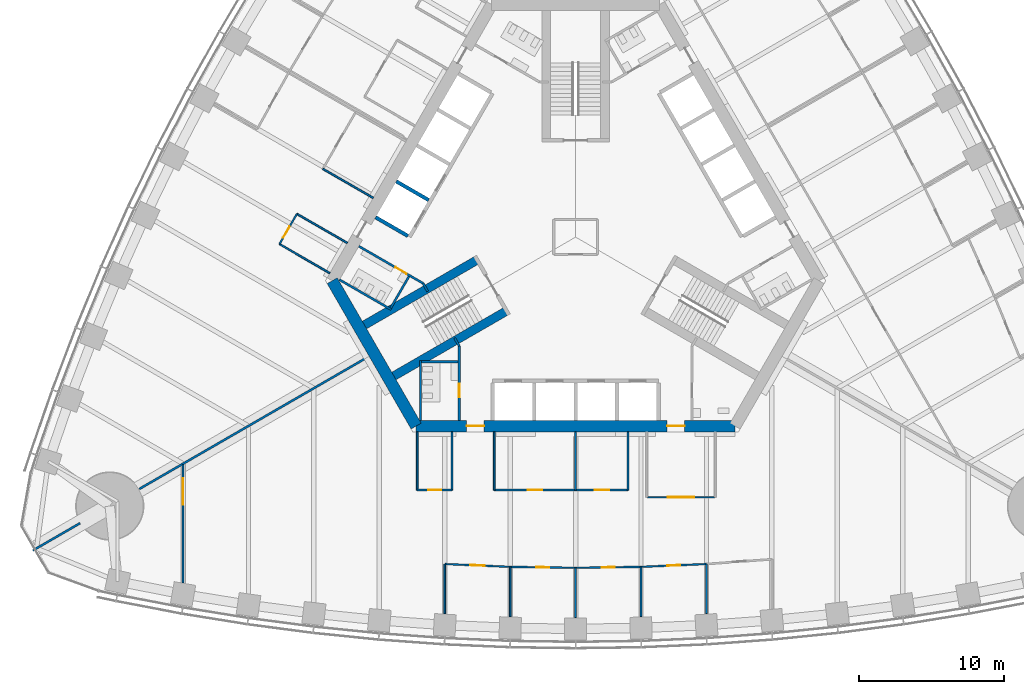
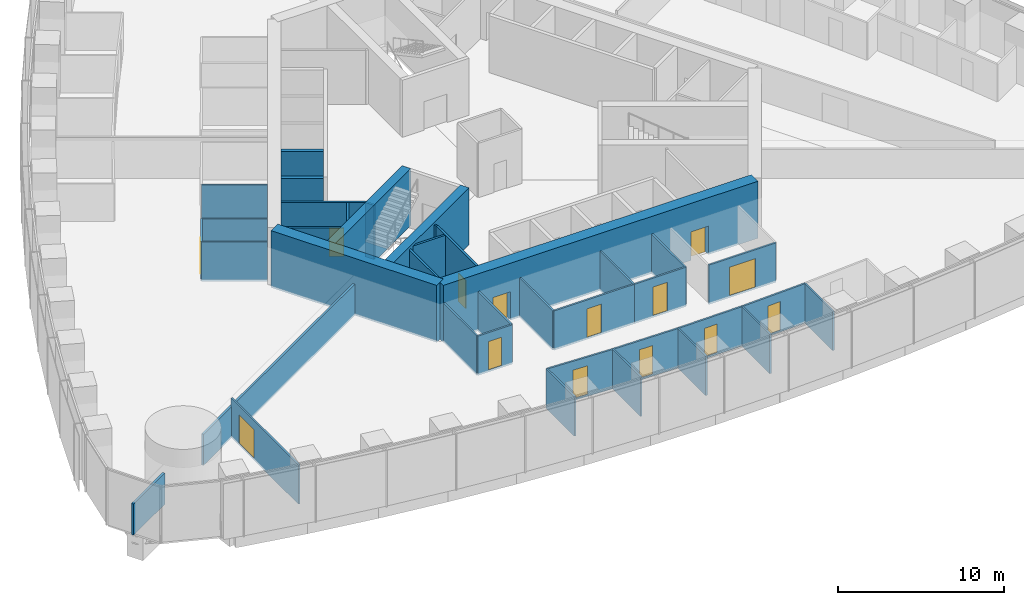
# One storey, part 10 of 18: 39 walls, 14 doors, 14 openings.
"""IFC4 building model written with IfcOpenShell, lengths in metres."""

from ifc_helpers import new_model, si_unit, direction, frame, frame_2d, origin, place, context, subcontext, project, spatial, rectangle, extrude, material, layer, layer_set, type_object, element, fill, save


model = new_model("IFC4")

# Units and contexts
model_context = context("Model", 3, precision=1e-05, world=origin(), true_north=direction((0.0, 1.0)))
body_context = subcontext(model_context, "Body", "Model", "MODEL_VIEW")
ifc_project = project(units=[si_unit("LENGTHUNIT", "METRE"), si_unit("AREAUNIT", "SQUARE_METRE"), si_unit("VOLUMEUNIT", "CUBIC_METRE"), si_unit("PLANEANGLEUNIT", "RADIAN"), si_unit("MASSUNIT", "GRAM", prefix="KILO")], contexts=[model_context])

# Site, building, storey
site_placement = place(None, origin())
site = spatial("IfcSite", under=ifc_project, at=site_placement, CompositionType="ELEMENT")
building_placement = place(site_placement, origin())
building = spatial("IfcBuilding", under=site, at=building_placement, Name="Trefoil Bronze Tower", CompositionType="ELEMENT")
storey_placement = place(building_placement, frame((0.0, 0.0, 41.699951171875)))
storey = spatial("IfcBuildingStorey", under=building, at=storey_placement, Name="L09", CompositionType="ELEMENT", Elevation=41.699951171875)

# Wall, openings, doors
ifc_material_1 = material(Name="Concrete B80", Category="concrete")
ifc_layer_1 = layer(ifc_material_1, 0.800048828125)
ifc_layer_set_1 = layer_set([ifc_layer_1], Name="Core wall 800")
wall_type_1 = type_object("IfcWallType", Name="Core wall 800", PredefinedType="SHEAR", material=ifc_layer_set_1)
wall_1_placement = place(storey_placement, frame((-10.9697265625, -13.0, 0.0), z_axis=(0.0, 0.0, 1.0), x_axis=(1.0, 0.0, 0.0)))
wall_1 = element("IfcWall", 1, at=wall_1_placement, inside=storey, type_object=wall_type_1, Name="Core long wall 1 L09", PredefinedType="SHEAR", context=body_context, shape_type="SweptSolid", body=[
    extrude(rectangle(XDim=21.939453125, YDim=0.800048828125, at=frame_2d((10.9697265625, 0.0))), origin(), (0.0, 0.0, 1.0), 4.199951171875),
])
opening_1_placement = place(wall_1_placement, frame((17.269775390625, 0.0, 0.0)))
opening_1 = element("IfcOpeningElement", 2, at=opening_1_placement, cuts=wall_1, Name="Opening D2", PredefinedType="OPENING", context=body_context, shape_type="SweptSolid", body=[
    extrude(rectangle(XDim=1.199951171875, YDim=2.10009765625, at=frame_2d((0.60009765625, 1.050048828125))), frame((0.0, 0.409912109375, 0.0), z_axis=(0.0, -1.0, 0.0), x_axis=(1.0, 0.0, 0.0)), (0.0, 0.0, 1.0), 0.820068359375),
])
opening_2_placement = place(wall_1_placement, frame((3.4697265625, 0.0, 0.0)))
opening_2 = element("IfcOpeningElement", 3, at=opening_2_placement, cuts=wall_1, Name="Opening D2", PredefinedType="OPENING", context=body_context, shape_type="SweptSolid", body=[
    extrude(rectangle(XDim=1.199951171875, YDim=2.10009765625, at=frame_2d((0.60009765625, 1.050048828125))), frame((0.0, 0.409912109375, 0.0), z_axis=(0.0, -1.0, 0.0), x_axis=(1.0, 0.0, 0.0)), (0.0, 0.0, 1.0), 0.820068359375),
])
ifc_material_2 = material(Name="Steel door", Category="steel")
door_type_1 = type_object("IfcDoorType", Name="Lobby door 1200", OperationType="SINGLE_SWING_RIGHT", PredefinedType="DOOR", material=ifc_material_2)
door_1_placement = place(opening_1_placement, origin())
door_1 = element("IfcDoor", 4, at=door_1_placement, inside=storey, type_object=door_type_1, Name="Lobby door F1+ L09", OperationType="SINGLE_SWING_RIGHT", OverallHeight=2.10009765625, OverallWidth=1.199951171875, PredefinedType="DOOR", context=body_context, shape_type="SweptSolid", body=[
    extrude(rectangle(XDim=1.199951171875, YDim=2.10009765625, at=frame_2d((0.60009765625, 1.050048828125))), frame((0.0, 0.02490234375, 0.0), z_axis=(0.0, -1.0, 0.0), x_axis=(1.0, 0.0, 0.0)), (0.0, 0.0, 1.0), 0.050048828125),
])
fill(opening_1, door_1)
door_2_placement = place(opening_2_placement, origin())
door_2 = element("IfcDoor", 5, at=door_2_placement, inside=storey, type_object=door_type_1, Name="Lobby door F1- L09", OperationType="SINGLE_SWING_LEFT", OverallHeight=2.10009765625, OverallWidth=1.199951171875, PredefinedType="DOOR", context=body_context, shape_type="SweptSolid", body=[
    extrude(rectangle(XDim=1.199951171875, YDim=2.10009765625, at=frame_2d((0.60009765625, 1.050048828125))), frame((0.0, 0.02490234375, 0.0), z_axis=(0.0, -1.0, 0.0), x_axis=(1.0, 0.0, 0.0)), (0.0, 0.0, 1.0), 0.050048828125),
])
fill(opening_2, door_2)

# Wall
wall_2_placement = place(storey_placement, frame((-16.7431640625, -3.0, 0.0), z_axis=(0.0, 0.0, 1.0), x_axis=(0.499995765644, -0.866027848477, 0.0)))
element("IfcWall", 6, at=wall_2_placement, inside=storey, type_object=wall_type_1, Name="Core short wall 3 L09", PredefinedType="SHEAR", context=body_context, shape_type="SweptSolid", body=[
    extrude(rectangle(XDim=11.546875, YDim=0.800048828125, at=frame_2d((5.7734375, 0.0))), origin(), (0.0, 0.0, 1.0), 4.199951171875),
])

# Wall, opening, door
ifc_material_3 = material(Name="Glazed partition", Category="glass")
ifc_layer_2 = layer(ifc_material_3, 0.1201171875)
ifc_layer_set_2 = layer_set([ifc_layer_2], Name="Glazed partition 120")
wall_type_2 = type_object("IfcWallType", Name="Glazed partition 120", PredefinedType="PARTITIONING", material=ifc_layer_set_2)
wall_3_placement = place(storey_placement, frame((4.89990234375, -17.89990234375, 0.0), z_axis=(0.0, 0.0, 1.0), x_axis=(1.0, 0.0, 0.0)))
wall_3 = element("IfcWall", 7, at=wall_3_placement, inside=storey, type_object=wall_type_2, Name="Partition F1 L09", PredefinedType="PARTITIONING", context=body_context, shape_type="SweptSolid", body=[
    extrude(rectangle(XDim=4.7001953125, YDim=0.1201171875, at=frame_2d((2.35009765625, 0.0))), origin(), (0.0, 0.0, 1.0), 2.900146484375),
])
opening_3_placement = place(wall_3_placement, frame((1.449951171875, 0.0, 0.14990234375)))
opening_3 = element("IfcOpeningElement", 8, at=opening_3_placement, cuts=wall_3, Name="Opening D10", PredefinedType="OPENING", context=body_context, shape_type="SweptSolid", body=[
    extrude(rectangle(XDim=1.800048828125, YDim=2.10009765625, at=frame_2d((0.89990234375, 1.050048828125))), frame((0.0, 0.070068359375, 0.0), z_axis=(0.0, -1.0, 0.0), x_axis=(1.0, 0.0, 0.0)), (0.0, 0.0, 1.0), 0.14013671875),
])
ifc_material_4 = material(Name="Timber door", Category="wood")
door_type_2 = type_object("IfcDoorType", Name="Double door 1800", OperationType="DOUBLE_DOOR_SINGLE_SWING", PredefinedType="DOOR", material=ifc_material_4)
door_3_placement = place(opening_3_placement, origin())
door_3 = element("IfcDoor", 9, at=door_3_placement, inside=storey, type_object=door_type_2, Name="Reception door F1 L09", OperationType="DOUBLE_DOOR_SINGLE_SWING", OverallHeight=2.10009765625, OverallWidth=1.800048828125, PredefinedType="DOOR", context=body_context, shape_type="SweptSolid", body=[
    extrude(rectangle(XDim=1.800048828125, YDim=2.10009765625, at=frame_2d((0.89990234375, 1.050048828125))), frame((0.0, 0.02490234375, 0.0), z_axis=(0.0, -1.0, 0.0), x_axis=(1.0, 0.0, 0.0)), (0.0, 0.0, 1.0), 0.050048828125),
])
fill(opening_3, door_3)

wall_4_placement = place(storey_placement, frame((0.0, -17.39990234375, 0.0), z_axis=(0.0, 0.0, 1.0), x_axis=(1.0, 0.0, 0.0)))
wall_4 = element("IfcWall", 10, at=wall_4_placement, inside=storey, type_object=wall_type_2, Name="Partition F1 L09", PredefinedType="PARTITIONING", context=body_context, shape_type="SweptSolid", body=[
    extrude(rectangle(XDim=3.60009765625, YDim=0.1201171875, at=frame_2d((1.800048828125, 0.0))), origin(), (0.0, 0.0, 1.0), 2.900146484375),
])
opening_4_placement = place(wall_4_placement, frame((1.300048828125, 0.0, 0.14990234375)))
opening_4 = element("IfcOpeningElement", 11, at=opening_4_placement, cuts=wall_4, Name="Opening D9", PredefinedType="OPENING", context=body_context, shape_type="SweptSolid", body=[
    extrude(rectangle(XDim=1.0, YDim=2.10009765625, at=frame_2d((0.5, 1.050048828125))), frame((0.0, 0.070068359375, 0.0), z_axis=(0.0, -1.0, 0.0), x_axis=(1.0, 0.0, 0.0)), (0.0, 0.0, 1.0), 0.14013671875),
])
ifc_material_5 = material(Name="Glazed timber door", Category="wood")
door_type_3 = type_object("IfcDoorType", Name="Meeting room door 1000", OperationType="SINGLE_SWING_LEFT", PredefinedType="DOOR", material=ifc_material_5)
door_4_placement = place(opening_4_placement, origin())
door_4 = element("IfcDoor", 12, at=door_4_placement, inside=storey, type_object=door_type_3, Name="Meeting room door F1 L09", OperationType="SINGLE_SWING_LEFT", OverallHeight=2.10009765625, OverallWidth=1.0, PredefinedType="DOOR", context=body_context, shape_type="SweptSolid", body=[
    extrude(rectangle(XDim=1.0, YDim=2.10009765625, at=frame_2d((0.5, 1.050048828125))), frame((0.0, 0.02490234375, 0.0), z_axis=(0.0, -1.0, 0.0), x_axis=(1.0, 0.0, 0.0)), (0.0, 0.0, 1.0), 0.050048828125),
])
fill(opening_4, door_4)

wall_5_placement = place(storey_placement, frame((-10.89990234375, -17.39990234375, 0.0), z_axis=(0.0, 0.0, 1.0), x_axis=(1.0, 0.0, 0.0)))
wall_5 = element("IfcWall", 13, at=wall_5_placement, inside=storey, type_object=wall_type_2, Name="Partition F1 L09", PredefinedType="PARTITIONING", context=body_context, shape_type="SweptSolid", body=[
    extrude(rectangle(XDim=2.39990234375, YDim=0.1201171875, at=frame_2d((1.199951171875, 0.0))), origin(), (0.0, 0.0, 1.0), 2.900146484375),
])
opening_5_placement = place(wall_5_placement, frame((0.75, 0.0, 0.14990234375)))
opening_5 = element("IfcOpeningElement", 14, at=opening_5_placement, cuts=wall_5, Name="Opening D8", PredefinedType="OPENING", context=body_context, shape_type="SweptSolid", body=[
    extrude(rectangle(XDim=0.89990234375, YDim=2.10009765625, at=frame_2d((0.449951171875, 1.050048828125))), frame((0.0, 0.070068359375, 0.0), z_axis=(0.0, -1.0, 0.0), x_axis=(1.0, 0.0, 0.0)), (0.0, 0.0, 1.0), 0.14013671875),
])
ifc_material_6 = material(Name="Timber door", Category="wood")
door_type_4 = type_object("IfcDoorType", Name="Office door 900", OperationType="SINGLE_SWING_LEFT", PredefinedType="DOOR", material=ifc_material_6)
door_5_placement = place(opening_5_placement, origin())
door_5 = element("IfcDoor", 15, at=door_5_placement, inside=storey, type_object=door_type_4, Name="Comms room door F1 L09", OperationType="SINGLE_SWING_LEFT", OverallHeight=2.10009765625, OverallWidth=0.89990234375, PredefinedType="DOOR", context=body_context, shape_type="SweptSolid", body=[
    extrude(rectangle(XDim=0.89990234375, YDim=2.10009765625, at=frame_2d((0.449951171875, 1.050048828125))), frame((0.0, 0.02490234375, 0.0), z_axis=(0.0, -1.0, 0.0), x_axis=(1.0, 0.0, 0.0)), (0.0, 0.0, 1.0), 0.050048828125),
])
fill(opening_5, door_5)

wall_6_placement = place(storey_placement, frame((-5.60009765625, -17.39990234375, 0.0), z_axis=(0.0, 0.0, 1.0), x_axis=(1.0, 0.0, 0.0)))
wall_6 = element("IfcWall", 16, at=wall_6_placement, inside=storey, type_object=wall_type_2, Name="Partition F1 L09", PredefinedType="PARTITIONING", context=body_context, shape_type="SweptSolid", body=[
    extrude(rectangle(XDim=5.60009765625, YDim=0.1201171875, at=frame_2d((2.800048828125, 0.0))), origin(), (0.0, 0.0, 1.0), 2.900146484375),
])
opening_6_placement = place(wall_6_placement, frame((2.300048828125, 0.0, 0.14990234375)))
opening_6 = element("IfcOpeningElement", 17, at=opening_6_placement, cuts=wall_6, Name="Opening D9", PredefinedType="OPENING", context=body_context, shape_type="SweptSolid", body=[
    extrude(rectangle(XDim=1.0, YDim=2.10009765625, at=frame_2d((0.5, 1.050048828125))), frame((0.0, 0.070068359375, 0.0), z_axis=(0.0, -1.0, 0.0), x_axis=(1.0, 0.0, 0.0)), (0.0, 0.0, 1.0), 0.14013671875),
])
door_6_placement = place(opening_6_placement, origin())
door_6 = element("IfcDoor", 18, at=door_6_placement, inside=storey, type_object=door_type_3, Name="Meeting room door F1 L09", OperationType="SINGLE_SWING_LEFT", OverallHeight=2.10009765625, OverallWidth=1.0, PredefinedType="DOOR", context=body_context, shape_type="SweptSolid", body=[
    extrude(rectangle(XDim=1.0, YDim=2.10009765625, at=frame_2d((0.5, 1.050048828125))), frame((0.0, 0.02490234375, 0.0), z_axis=(0.0, -1.0, 0.0), x_axis=(1.0, 0.0, 0.0)), (0.0, 0.0, 1.0), 0.050048828125),
])
fill(opening_6, door_6)

# Walls
for number, where, z_axis, x_axis, name in (
    (19, (3.60009765625, -13.39990234375, 0.0), (0.0, 0.0, 1.0), (0.0, -1.0, 0.0), "Partition F1 L09"),
    (20, (0.0, -13.39990234375, 0.0), (0.0, 0.0, 1.0), (0.0, -1.0, 0.0), "Partition F1 L09"),
    (21, (-10.89990234375, -13.39990234375, 0.0), (0.0, 0.0, 1.0), (0.0, -1.0, 0.0), "Partition F1 L09"),
    (22, (-5.60009765625, -13.39990234375, 0.0), (0.0, 0.0, 1.0), (0.0, -1.0, 0.0), "Partition F1 L09"),
    (23, (-8.5, -13.39990234375, 0.0), (0.0, 0.0, 1.0), (0.0, -1.0, 0.0), "Partition F1 L09"),
):
    element("IfcWall", number, at=place(storey_placement, frame(where, z_axis=z_axis, x_axis=x_axis)), inside=storey, type_object=wall_type_2, Name=name, PredefinedType="PARTITIONING", context=body_context, shape_type="SweptSolid", body=[
        extrude(rectangle(XDim=4.0, YDim=0.1201171875, at=frame_2d((2.0, 0.0))), origin(), (0.0, 0.0, 1.0), 2.900146484375),
    ])

# Wall, opening, door
wall_7_placement = place(storey_placement, frame((0.0, -22.748779296875, 0.0), z_axis=(0.0, 0.0, 1.0), x_axis=(0.999894311967, 0.014538393859, 0.0)))
wall_7 = element("IfcWall", 24, at=wall_7_placement, inside=storey, type_object=wall_type_2, Name="Partition F1 L09", PredefinedType="PARTITIONING", context=body_context, shape_type="SweptSolid", body=[
    extrude(rectangle(XDim=4.50048828125, YDim=0.1201171875, at=frame_2d((2.250244140625, 0.0))), origin(), (0.0, 0.0, 1.0), 2.900146484375),
])
opening_7_placement = place(wall_7_placement, frame((1.800048828125, 0.0, 0.14990234375)))
opening_7 = element("IfcOpeningElement", 25, at=opening_7_placement, cuts=wall_7, Name="Opening D8", PredefinedType="OPENING", context=body_context, shape_type="SweptSolid", body=[
    extrude(rectangle(XDim=0.89990234375, YDim=2.10009765625, at=frame_2d((0.449951171875, 1.050048828125))), frame((0.0, 0.070068359375, 0.0), z_axis=(0.0, -1.0, 0.0), x_axis=(1.0, 0.0, 0.0)), (0.0, 0.0, 1.0), 0.14013671875),
])
door_7_placement = place(opening_7_placement, frame((0.89990234375, 0.0, 0.0), z_axis=(0.0, 0.0, 1.0), x_axis=(-1.0, 0.0, 0.0)))
door_7 = element("IfcDoor", 26, at=door_7_placement, inside=storey, type_object=door_type_4, Name="Office door F1 L09", OperationType="SINGLE_SWING_RIGHT", OverallHeight=2.10009765625, OverallWidth=0.89990234375, PredefinedType="DOOR", context=body_context, shape_type="SweptSolid", body=[
    extrude(rectangle(XDim=0.89990234375, YDim=2.10009765625, at=frame_2d((0.449951171875, 1.050048828125))), frame((0.0, 0.02490234375, 0.0), z_axis=(0.0, -1.0, 0.0), x_axis=(1.0, 0.0, 0.0)), (0.0, 0.0, 1.0), 0.050048828125),
])
fill(opening_7, door_7)

wall_8_placement = place(storey_placement, frame((4.5, -22.683349609375, 0.0), z_axis=(0.0, 0.0, 1.0), x_axis=(0.999052370647, 0.043524254212, 0.0)))
wall_8 = element("IfcWall", 27, at=wall_8_placement, inside=storey, type_object=wall_type_2, Name="Partition F1 L09", PredefinedType="PARTITIONING", context=body_context, shape_type="SweptSolid", body=[
    extrude(rectangle(XDim=4.504150390625, YDim=0.1201171875, at=frame_2d((2.251953125, 0.0))), origin(), (0.0, 0.0, 1.0), 2.900146484375),
])
opening_8_placement = place(wall_8_placement, frame((1.800048828125, 0.0, 0.14990234375)))
opening_8 = element("IfcOpeningElement", 28, at=opening_8_placement, cuts=wall_8, Name="Opening D8", PredefinedType="OPENING", context=body_context, shape_type="SweptSolid", body=[
    extrude(rectangle(XDim=0.89990234375, YDim=2.10009765625, at=frame_2d((0.449951171875, 1.050048828125))), frame((0.0, 0.070068359375, 0.0), z_axis=(0.0, -1.0, 0.0), x_axis=(1.0, 0.0, 0.0)), (0.0, 0.0, 1.0), 0.14013671875),
])
door_8_placement = place(opening_8_placement, frame((0.89990234375, 0.0, 0.0), z_axis=(0.0, 0.0, 1.0), x_axis=(-1.0, 0.0, 0.0)))
door_8 = element("IfcDoor", 29, at=door_8_placement, inside=storey, type_object=door_type_4, Name="Office door F1 L09", OperationType="SINGLE_SWING_RIGHT", OverallHeight=2.10009765625, OverallWidth=0.89990234375, PredefinedType="DOOR", context=body_context, shape_type="SweptSolid", body=[
    extrude(rectangle(XDim=0.89990234375, YDim=2.10009765625, at=frame_2d((0.449951171875, 1.050048828125))), frame((0.0, 0.02490234375, 0.0), z_axis=(0.0, -1.0, 0.0), x_axis=(1.0, 0.0, 0.0)), (0.0, 0.0, 1.0), 0.050048828125),
])
fill(opening_8, door_8)

wall_9_placement = place(storey_placement, frame((-4.5, -22.683349609375, 0.0), z_axis=(0.0, 0.0, 1.0), x_axis=(0.999894311967, -0.014538393859, 0.0)))
wall_9 = element("IfcWall", 30, at=wall_9_placement, inside=storey, type_object=wall_type_2, Name="Partition F1 L09", PredefinedType="PARTITIONING", context=body_context, shape_type="SweptSolid", body=[
    extrude(rectangle(XDim=4.50048828125, YDim=0.1201171875, at=frame_2d((2.250244140625, 0.0))), origin(), (0.0, 0.0, 1.0), 2.900146484375),
])
opening_9_placement = place(wall_9_placement, frame((1.800048828125, 0.0, 0.14990234375)))
opening_9 = element("IfcOpeningElement", 31, at=opening_9_placement, cuts=wall_9, Name="Opening D8", PredefinedType="OPENING", context=body_context, shape_type="SweptSolid", body=[
    extrude(rectangle(XDim=0.89990234375, YDim=2.10009765625, at=frame_2d((0.449951171875, 1.050048828125))), frame((0.0, 0.070068359375, 0.0), z_axis=(0.0, -1.0, 0.0), x_axis=(1.0, 0.0, 0.0)), (0.0, 0.0, 1.0), 0.14013671875),
])
door_9_placement = place(opening_9_placement, frame((0.89990234375, 0.0, 0.0), z_axis=(0.0, 0.0, 1.0), x_axis=(-1.0, 0.0, 0.0)))
door_9 = element("IfcDoor", 32, at=door_9_placement, inside=storey, type_object=door_type_4, Name="Office door F1 L09", OperationType="SINGLE_SWING_RIGHT", OverallHeight=2.10009765625, OverallWidth=0.89990234375, PredefinedType="DOOR", context=body_context, shape_type="SweptSolid", body=[
    extrude(rectangle(XDim=0.89990234375, YDim=2.10009765625, at=frame_2d((0.449951171875, 1.050048828125))), frame((0.0, 0.02490234375, 0.0), z_axis=(0.0, -1.0, 0.0), x_axis=(1.0, 0.0, 0.0)), (0.0, 0.0, 1.0), 0.050048828125),
])
fill(opening_9, door_9)

wall_10_placement = place(storey_placement, frame((-9.0, -22.4873046875, 0.0), z_axis=(0.0, 0.0, 1.0), x_axis=(0.999052370647, -0.043524254212, 0.0)))
wall_10 = element("IfcWall", 33, at=wall_10_placement, inside=storey, type_object=wall_type_2, Name="Partition F1 L09", PredefinedType="PARTITIONING", context=body_context, shape_type="SweptSolid", body=[
    extrude(rectangle(XDim=4.504150390625, YDim=0.1201171875, at=frame_2d((2.251953125, 0.0))), origin(), (0.0, 0.0, 1.0), 2.900146484375),
])
opening_10_placement = place(wall_10_placement, frame((1.75, 0.0, 0.14990234375)))
opening_10 = element("IfcOpeningElement", 34, at=opening_10_placement, cuts=wall_10, Name="Opening D9", PredefinedType="OPENING", context=body_context, shape_type="SweptSolid", body=[
    extrude(rectangle(XDim=1.0, YDim=2.10009765625, at=frame_2d((0.5, 1.050048828125))), frame((0.0, 0.070068359375, 0.0), z_axis=(0.0, -1.0, 0.0), x_axis=(1.0, 0.0, 0.0)), (0.0, 0.0, 1.0), 0.14013671875),
])
door_10_placement = place(opening_10_placement, frame((1.0, 0.0, 0.0), z_axis=(0.0, 0.0, 1.0), x_axis=(-1.0, 0.0, 0.0)))
door_10 = element("IfcDoor", 35, at=door_10_placement, inside=storey, type_object=door_type_3, Name="Meeting room door F1 L09", OperationType="SINGLE_SWING_RIGHT", OverallHeight=2.10009765625, OverallWidth=1.0, PredefinedType="DOOR", context=body_context, shape_type="SweptSolid", body=[
    extrude(rectangle(XDim=1.0, YDim=2.10009765625, at=frame_2d((0.5, 1.050048828125))), frame((0.0, 0.02490234375, 0.0), z_axis=(0.0, -1.0, 0.0), x_axis=(1.0, 0.0, 0.0)), (0.0, 0.0, 1.0), 0.050048828125),
])
fill(opening_10, door_10)

# Walls
wall_11_placement = place(storey_placement, frame((0.0, -22.748779296875, 0.0), z_axis=(0.0, 0.0, 1.0), x_axis=(0.0, -1.0, 0.0)))
element("IfcWall", 36, at=wall_11_placement, inside=storey, type_object=wall_type_2, Name="Partition F1 L09", PredefinedType="PARTITIONING", context=body_context, shape_type="SweptSolid", body=[
    extrude(rectangle(XDim=3.419921875, YDim=0.1201171875, at=frame_2d((1.7099609375, 0.0))), origin(), (0.0, 0.0, 1.0), 2.900146484375),
])
wall_12_placement = place(storey_placement, frame((4.5, -22.683349609375, 0.0), z_axis=(0.0, 0.0, 1.0), x_axis=(0.0, -1.0, 0.0)))
element("IfcWall", 37, at=wall_12_placement, inside=storey, type_object=wall_type_2, Name="Partition F1 L09", PredefinedType="PARTITIONING", context=body_context, shape_type="SweptSolid", body=[
    extrude(rectangle(XDim=3.41943359375, YDim=0.1201171875, at=frame_2d((1.709716796875, 0.0))), origin(), (0.0, 0.0, 1.0), 2.900146484375),
])
wall_13_placement = place(storey_placement, frame((9.0, -22.4873046875, 0.0), z_axis=(0.0, 0.0, 1.0), x_axis=(0.0, -1.0, 0.0)))
element("IfcWall", 38, at=wall_13_placement, inside=storey, type_object=wall_type_2, Name="Partition F1 L09", PredefinedType="PARTITIONING", context=body_context, shape_type="SweptSolid", body=[
    extrude(rectangle(XDim=3.41748046875, YDim=0.1201171875, at=frame_2d((1.708740234375, 0.0))), origin(), (0.0, 0.0, 1.0), 2.900146484375),
])

# Wall, opening, door
wall_14_placement = place(storey_placement, frame((-27.0, -15.65185546875, 0.0), z_axis=(0.0, 0.0, 1.0), x_axis=(0.0, -1.0, 0.0)))
wall_14 = element("IfcWall", 39, at=wall_14_placement, inside=storey, type_object=wall_type_2, Name="Partition F1 L09", PredefinedType="PARTITIONING", context=body_context, shape_type="SweptSolid", body=[
    extrude(rectangle(XDim=8.124267578125, YDim=0.1201171875, at=frame_2d((4.06201171875, 0.0))), origin(), (0.0, 0.0, 1.0), 2.900146484375),
])
opening_11_placement = place(wall_14_placement, frame((0.949951171875, 0.0, 0.14990234375)))
opening_11 = element("IfcOpeningElement", 40, at=opening_11_placement, cuts=wall_14, Name="Opening D10", PredefinedType="OPENING", context=body_context, shape_type="SweptSolid", body=[
    extrude(rectangle(XDim=1.800048828125, YDim=2.10009765625, at=frame_2d((0.89990234375, 1.050048828125))), frame((0.0, 0.070068359375, 0.0), z_axis=(0.0, -1.0, 0.0), x_axis=(1.0, 0.0, 0.0)), (0.0, 0.0, 1.0), 0.14013671875),
])
door_11_placement = place(opening_11_placement, frame((1.800048828125, 0.0, 0.0), z_axis=(0.0, 0.0, 1.0), x_axis=(-1.0, 0.0, 0.0)))
door_11 = element("IfcDoor", 41, at=door_11_placement, inside=storey, type_object=door_type_2, Name="Kitchen and breakout door F1 L09", OperationType="DOUBLE_DOOR_SINGLE_SWING", OverallHeight=2.10009765625, OverallWidth=1.800048828125, PredefinedType="DOOR", context=body_context, shape_type="SweptSolid", body=[
    extrude(rectangle(XDim=1.800048828125, YDim=2.10009765625, at=frame_2d((0.89990234375, 1.050048828125))), frame((0.0, 0.02490234375, 0.0), z_axis=(0.0, -1.0, 0.0), x_axis=(1.0, 0.0, 0.0)), (0.0, 0.0, 1.0), 0.050048828125),
])
fill(opening_11, door_11)

# Walls
wall_15_placement = place(storey_placement, frame((-4.5, -22.683349609375, 0.0), z_axis=(0.0, 0.0, 1.0), x_axis=(0.0, -1.0, 0.0)))
element("IfcWall", 42, at=wall_15_placement, inside=storey, type_object=wall_type_2, Name="Partition F1 L09", PredefinedType="PARTITIONING", context=body_context, shape_type="SweptSolid", body=[
    extrude(rectangle(XDim=3.41943359375, YDim=0.1201171875, at=frame_2d((1.709716796875, 0.0))), origin(), (0.0, 0.0, 1.0), 2.900146484375),
])
wall_16_placement = place(storey_placement, frame((-9.0, -22.4873046875, 0.0), z_axis=(0.0, 0.0, 1.0), x_axis=(0.0, -1.0, 0.0)))
element("IfcWall", 43, at=wall_16_placement, inside=storey, type_object=wall_type_2, Name="Partition F1 L09", PredefinedType="PARTITIONING", context=body_context, shape_type="SweptSolid", body=[
    extrude(rectangle(XDim=3.41748046875, YDim=0.1201171875, at=frame_2d((1.708740234375, 0.0))), origin(), (0.0, 0.0, 1.0), 2.900146484375),
])

# Wall, opening, door
wall_17_placement = place(storey_placement, frame((-19.1689453125, 1.5986328125, 0.0), z_axis=(0.0, 0.0, 1.0), x_axis=(-0.499957262057, -0.866050077142, 0.0)))
wall_17 = element("IfcWall", 44, at=wall_17_placement, inside=storey, type_object=wall_type_2, Name="Partition F3 L09", PredefinedType="PARTITIONING", context=body_context, shape_type="SweptSolid", body=[
    extrude(rectangle(XDim=2.400146484375, YDim=0.1201171875, at=frame_2d((1.2001953125, 0.0))), origin(), (0.0, 0.0, 1.0), 2.900146484375),
])
opening_12_placement = place(wall_17_placement, frame((1.0, 0.0, 0.14990234375)))
opening_12 = element("IfcOpeningElement", 45, at=opening_12_placement, cuts=wall_17, Name="Opening D8", PredefinedType="OPENING", context=body_context, shape_type="SweptSolid", body=[
    extrude(rectangle(XDim=0.89990234375, YDim=2.10009765625, at=frame_2d((0.449951171875, 1.050048828125))), frame((0.0, 0.070068359375, 0.0), z_axis=(0.0, -1.0, 0.0), x_axis=(1.0, 0.0, 0.0)), (0.0, 0.0, 1.0), 0.14013671875),
])
door_12_placement = place(opening_12_placement, origin())
door_12 = element("IfcDoor", 46, at=door_12_placement, inside=storey, type_object=door_type_4, Name="Store door F3 L09", OperationType="SINGLE_SWING_RIGHT", OverallHeight=2.10009765625, OverallWidth=0.89990234375, PredefinedType="DOOR", context=body_context, shape_type="SweptSolid", body=[
    extrude(rectangle(XDim=0.89990234375, YDim=2.10009765625, at=frame_2d((0.449951171875, 1.050048828125))), frame((0.0, 0.02490234375, 0.0), z_axis=(0.0, -1.0, 0.0), x_axis=(1.0, 0.0, 0.0)), (0.0, 0.0, 1.0), 0.050048828125),
])
fill(opening_12, door_12)

# Walls
for number, where, z_axis, x_axis, name in (
    (47, (-16.90478515625, -2.47998046875, 0.0), (0.0, 0.0, 1.0), (-0.866026010844, 0.49999894854, 0.0), "Partition F3 L09"),
    (48, (-13.917236328125, 2.694580078125, 0.0), (0.0, 0.0, 1.0), (-0.866026010844, 0.49999894854, 0.0), "Partition F3 L09"),
    (49, (-15.704833984375, -0.4013671875, 0.0), (0.0, 0.0, 1.0), (-0.866026010844, 0.49999894854, 0.0), "Partition F3 L09"),
):
    element("IfcWall", number, at=place(storey_placement, frame(where, z_axis=z_axis, x_axis=x_axis)), inside=storey, type_object=wall_type_2, Name=name, PredefinedType="PARTITIONING", context=body_context, shape_type="SweptSolid", body=[
        extrude(rectangle(XDim=4.0, YDim=0.1201171875, at=frame_2d((2.0, 0.0))), origin(), (0.0, 0.0, 1.0), 2.900146484375),
    ])

# Wall, opening, door
ifc_material_7 = material(Name="Gypsum board on steel studs", Category="steel")
ifc_layer_3 = layer(ifc_material_7, 0.14990234375)
ifc_layer_set_3 = layer_set([ifc_layer_3], Name="Partition 150")
wall_type_3 = type_object("IfcWallType", Name="Partition 150", PredefinedType="PARTITIONING", material=ifc_layer_set_3)
wall_18_placement = place(storey_placement, frame((-8.0, -7.5, 0.0), z_axis=(0.0, 0.0, 1.0), x_axis=(0.0, -1.0, 0.0)))
wall_18 = element("IfcWall", 50, at=wall_18_placement, inside=storey, type_object=wall_type_3, Name="Passage wall F1- L09", PredefinedType="PARTITIONING", context=body_context, shape_type="SweptSolid", body=[
    extrude(rectangle(XDim=5.10009765625, YDim=0.14990234375, at=frame_2d((2.550048828125, 0.0))), origin(), (0.0, 0.0, 1.0), 4.0),
])
opening_13_placement = place(wall_18_placement, frame((2.60009765625, 0.0, 0.0)))
opening_13 = element("IfcOpeningElement", 51, at=opening_13_placement, cuts=wall_18, Name="Opening D3", PredefinedType="OPENING", context=body_context, shape_type="SweptSolid", body=[
    extrude(rectangle(XDim=0.89990234375, YDim=2.10009765625, at=frame_2d((0.449951171875, 1.050048828125))), frame((0.0, 0.0849609375, 0.0), z_axis=(0.0, -1.0, 0.0), x_axis=(1.0, 0.0, 0.0)), (0.0, 0.0, 1.0), 0.169921875),
])
ifc_material_8 = material(Name="Timber door", Category="wood")
door_type_5 = type_object("IfcDoorType", Name="WC door 900", OperationType="SINGLE_SWING_LEFT", PredefinedType="DOOR", material=ifc_material_8)
door_13_placement = place(opening_13_placement, frame((0.89990234375, 0.0, 0.0), z_axis=(0.0, 0.0, 1.0), x_axis=(-1.0, 0.0, 0.0)))
door_13 = element("IfcDoor", 52, at=door_13_placement, inside=storey, type_object=door_type_5, Name="WC (women) door L09", OperationType="SINGLE_SWING_RIGHT", OverallHeight=2.10009765625, OverallWidth=0.89990234375, PredefinedType="DOOR", context=body_context, shape_type="SweptSolid", body=[
    extrude(rectangle(XDim=0.89990234375, YDim=2.10009765625, at=frame_2d((0.449951171875, 1.050048828125))), frame((0.0, 0.02490234375, 0.0), z_axis=(0.0, -1.0, 0.0), x_axis=(1.0, 0.0, 0.0)), (0.0, 0.0, 1.0), 0.050048828125),
])
fill(opening_13, door_13)

wall_19_placement = place(storey_placement, frame((-10.4951171875, -3.17822265625, 0.0), z_axis=(0.0, 0.0, 1.0), x_axis=(-0.86602216432, 0.500005610874, 0.0)))
wall_19 = element("IfcWall", 53, at=wall_19_placement, inside=storey, type_object=wall_type_3, Name="Passage wall F3+ L09", PredefinedType="PARTITIONING", context=body_context, shape_type="SweptSolid", body=[
    extrude(rectangle(XDim=5.10009765625, YDim=0.14990234375, at=frame_2d((2.550048828125, 0.0))), origin(), (0.0, 0.0, 1.0), 4.0),
])
opening_14_placement = place(wall_19_placement, frame((1.300048828125, 0.0, 0.0)))
opening_14 = element("IfcOpeningElement", 54, at=opening_14_placement, cuts=wall_19, Name="Opening D3", PredefinedType="OPENING", context=body_context, shape_type="SweptSolid", body=[
    extrude(rectangle(XDim=0.89990234375, YDim=2.10009765625, at=frame_2d((0.449951171875, 1.050048828125))), frame((0.0, 0.0849609375, 0.0), z_axis=(0.0, -1.0, 0.0), x_axis=(1.0, 0.0, 0.0)), (0.0, 0.0, 1.0), 0.169921875),
])
door_14_placement = place(opening_14_placement, origin())
door_14 = element("IfcDoor", 55, at=door_14_placement, inside=storey, type_object=door_type_5, Name="WC (men) door L09", OperationType="SINGLE_SWING_LEFT", OverallHeight=2.10009765625, OverallWidth=0.89990234375, PredefinedType="DOOR", context=body_context, shape_type="SweptSolid", body=[
    extrude(rectangle(XDim=0.89990234375, YDim=2.10009765625, at=frame_2d((0.449951171875, 1.050048828125))), frame((0.0, 0.02490234375, 0.0), z_axis=(0.0, -1.0, 0.0), x_axis=(1.0, 0.0, 0.0)), (0.0, 0.0, 1.0), 0.050048828125),
])
fill(opening_14, door_14)

# Walls
for number, where, z_axis, x_axis, name in (
    (56, (-10.4951171875, -3.17822265625, 0.0), (0.0, 0.0, 1.0), (0.499842556608, -0.866116284689, 0.0), "WC wall ST3-1 L09"),
    (57, (-8.0, -7.5, 0.0), (0.0, 0.0, 1.0), (-0.499842556608, 0.866116284689, 0.0), "WC wall ST3+1 L09"),
):
    element("IfcWall", number, at=place(storey_placement, frame(where, z_axis=z_axis, x_axis=x_axis)), inside=storey, type_object=wall_type_3, Name=name, PredefinedType="PARTITIONING", context=body_context, shape_type="SweptSolid", body=[
        extrude(rectangle(XDim=0.645263671875, YDim=0.14990234375, at=frame_2d((0.32275390625, 0.0))), origin(), (0.0, 0.0, 1.0), 4.0),
    ])
wall_20_placement = place(storey_placement, frame((-12.691162109375, -4.98193359375, 0.0), z_axis=(0.0, 0.0, 1.0), x_axis=(-0.8660249478, 0.500000789788, 0.0)))
element("IfcWall", 58, at=wall_20_placement, inside=storey, type_object=wall_type_3, Name="WC partition WC (men) L09", PredefinedType="PARTITIONING", context=body_context, shape_type="SweptSolid", body=[
    extrude(rectangle(XDim=4.10009765625, YDim=0.14990234375, at=frame_2d((2.050048828125, 0.0))), origin(), (0.0, 0.0, 1.0), 4.0),
])
wall_21_placement = place(storey_placement, frame((-11.463623046875, -2.70556640625, 0.0), z_axis=(0.0, 0.0, 1.0), x_axis=(-0.50001992892, -0.866013897511, 0.0)))
element("IfcWall", 59, at=wall_21_placement, inside=storey, type_object=wall_type_3, Name="WC partition WC (men) L09", PredefinedType="PARTITIONING", context=body_context, shape_type="SweptSolid", body=[
    extrude(rectangle(XDim=2.51025390625, YDim=0.14990234375, at=frame_2d((1.255126953125, 0.0))), origin(), (0.0, 0.0, 1.0), 4.0),
])
wall_22_placement = place(storey_placement, frame((-10.659912109375, -8.5, 0.0), z_axis=(0.0, 0.0, 1.0), x_axis=(0.0, -1.0, 0.0)))
element("IfcWall", 60, at=wall_22_placement, inside=storey, type_object=wall_type_3, Name="WC partition WC (women) L09", PredefinedType="PARTITIONING", context=body_context, shape_type="SweptSolid", body=[
    extrude(rectangle(XDim=4.10009765625, YDim=0.14990234375, at=frame_2d((2.050048828125, 0.0))), origin(), (0.0, 0.0, 1.0), 4.0),
])
wall_23_placement = place(storey_placement, frame((-8.074951171875, -8.574951171875, 0.0), z_axis=(0.0, 0.0, 1.0), x_axis=(-1.0, 0.0, 0.0)))
element("IfcWall", 61, at=wall_23_placement, inside=storey, type_object=wall_type_3, Name="WC partition WC (women) L09", PredefinedType="PARTITIONING", context=body_context, shape_type="SweptSolid", body=[
    extrude(rectangle(XDim=2.510009765625, YDim=0.14990234375, at=frame_2d((1.2548828125, 0.0))), origin(), (0.0, 0.0, 1.0), 4.0),
])
ifc_material_9 = material(Name="Gypsum board on steel studs", Category="steel")
ifc_layer_4 = layer(ifc_material_9, 0.14990234375)
ifc_layer_set_4 = layer_set([ifc_layer_4], Name="Party wall 150")
wall_type_4 = type_object("IfcWallType", Name="Party wall 150", PredefinedType="PARTITIONING", material=ifc_layer_set_4)
wall_24_placement = place(storey_placement, frame((-14.202880859375, -8.199951171875, 0.0), z_axis=(0.0, 0.0, 1.0), x_axis=(-0.866024965723, -0.500000758745, 0.0)))
element("IfcWall", 62, at=wall_24_placement, inside=storey, type_object=wall_type_4, Name="Party wall K3 L09", PredefinedType="PARTITIONING", context=body_context, shape_type="SweptSolid", body=[
    extrude(rectangle(XDim=18.25, YDim=0.14990234375, at=frame_2d((9.125, 0.0))), origin(), (0.0, 0.0, 1.0), 2.300048828125),
])
wall_25_placement = place(storey_placement, frame((-34.078125, -19.675048828125, 0.0), z_axis=(0.0, 0.0, 1.0), x_axis=(-0.866019247219, -0.500010663332, 0.0)))
element("IfcWall", 63, at=wall_25_placement, inside=storey, type_object=wall_type_4, Name="Party wall K3 L09", PredefinedType="PARTITIONING", context=body_context, shape_type="SweptSolid", body=[
    extrude(rectangle(XDim=3.76416015625, YDim=0.14990234375, at=frame_2d((1.882080078125, 0.0))), origin(), (0.0, 0.0, 1.0), 2.300048828125),
])
ifc_material_10 = material(Name="Concrete B80", Category="concrete")
ifc_layer_5 = layer(ifc_material_10, 0.25)
ifc_layer_set_5 = layer_set([ifc_layer_5], Name="Shaft wall 250")
wall_type_5 = type_object("IfcWallType", Name="Shaft wall 250", PredefinedType="SHEAR", material=ifc_layer_set_5)
for number, where, z_axis, x_axis, name in (
    (64, (-10.10693359375, 2.54443359375, 0.0), (0.0, 0.0, 1.0), (-0.866046643894, 0.499963209246, 0.0), "Lift shaft side wall C3 L09"),
    (65, (-11.531982421875, 0.076171875, 0.0), (0.0, 0.0, 1.0), (-0.866005588531, 0.500034319456, 0.0), "Lift shaft side wall C4 L09"),
):
    element("IfcWall", number, at=place(storey_placement, frame(where, z_axis=z_axis, x_axis=x_axis)), inside=storey, type_object=wall_type_5, Name=name, PredefinedType="SHEAR", context=body_context, shape_type="SweptSolid", body=[
        extrude(rectangle(XDim=2.574951171875, YDim=0.25, at=frame_2d((1.28759765625, 0.0))), origin(), (0.0, 0.0, 1.0), 4.199951171875),
    ])
ifc_material_11 = material(Name="Concrete B80", Category="concrete")
ifc_layer_6 = layer(ifc_material_11, 0.60009765625)
ifc_layer_set_6 = layer_set([ifc_layer_6], Name="Stair wall 600")
wall_type_6 = type_object("IfcWallType", Name="Stair wall 600", PredefinedType="SHEAR", material=ifc_layer_set_6)
for number, where, z_axis, x_axis, name in (
    (66, (-6.663330078125, -1.5087890625, 0.0), (0.0, 0.0, 1.0), (-0.866019375473, -0.500010441196, 0.0), "Stair wall ST3 L09"),
    (67, (-4.638427734375, -5.01611328125, 0.0), (0.0, 0.0, 1.0), (-0.866019375473, -0.500010441196, 0.0), "Stair wall ST3 L09"),
):
    element("IfcWall", number, at=place(storey_placement, frame(where, z_axis=z_axis, x_axis=x_axis)), inside=storey, type_object=wall_type_6, Name=name, PredefinedType="SHEAR", context=body_context, shape_type="SweptSolid", body=[
        extrude(rectangle(XDim=9.074951171875, YDim=0.60009765625, at=frame_2d((4.53759765625, 0.0))), origin(), (0.0, 0.0, 1.0), 4.199951171875),
    ])

save(model, "model.ifc")
